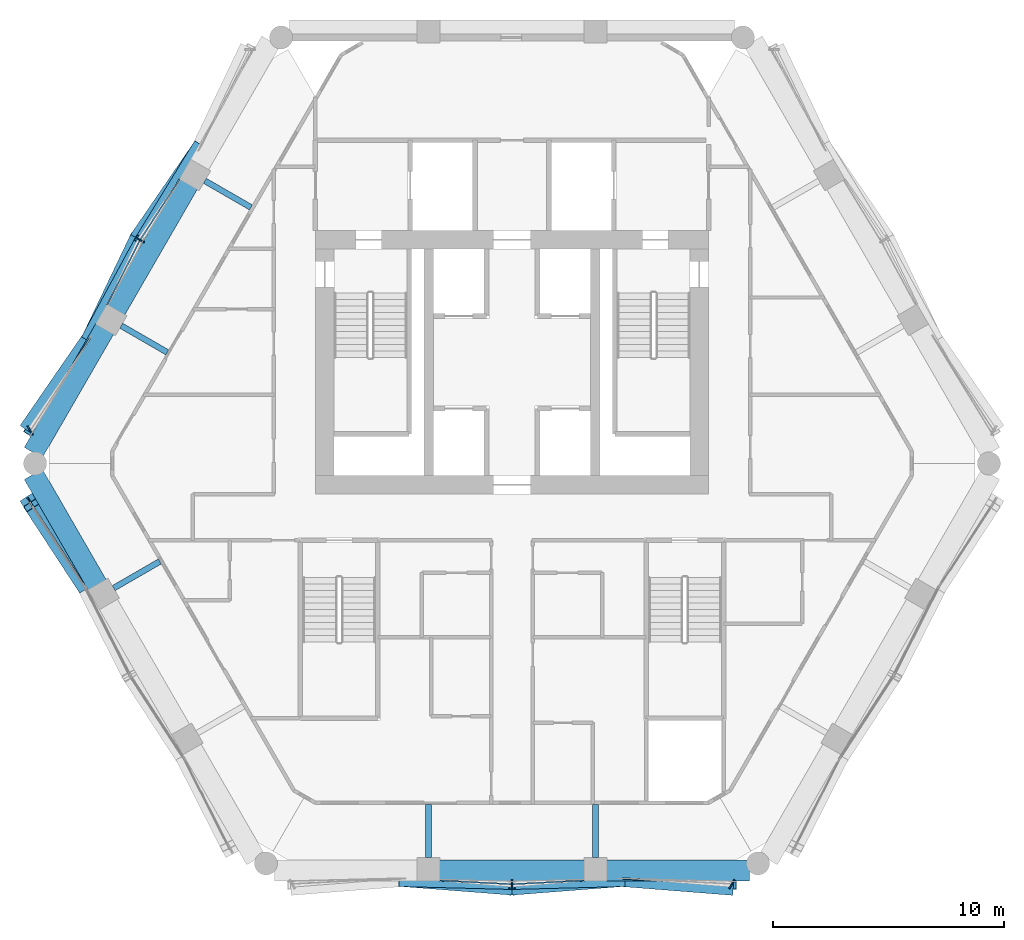
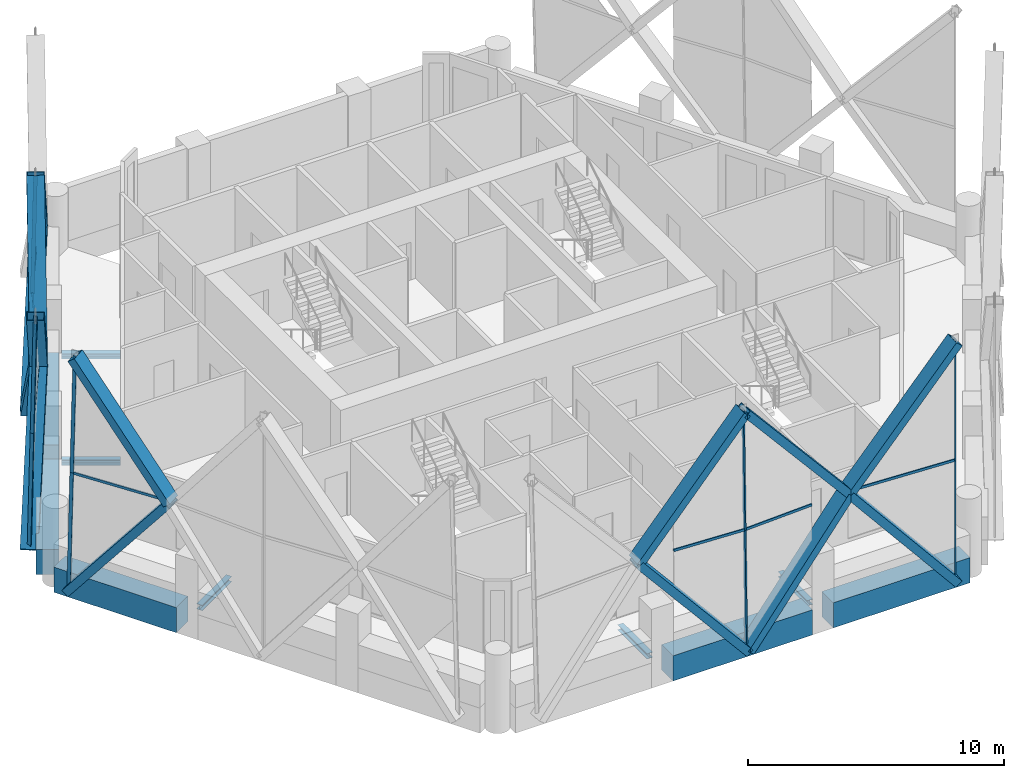
# One storey, part 4 of 18: 31 members, 10 beams, 6 elements without a shape of their own.
"""IFC4 building model written with IfcOpenShell, lengths in metres."""

from ifc_helpers import new_model, si_unit, direction, frame, origin, origin_2d, place, context, subcontext, project, spatial, rectangle, hollow_rectangle, i_section, extrude, material, material_profile, profile_set, type_object, element, aggregate, save


model = new_model("IFC4")

# Units and contexts
model_context = context("Model", 3, precision=1e-05, world=origin(), true_north=direction((0.0, 1.0)))
body_context = subcontext(model_context, "Body", "Model", "MODEL_VIEW")
ifc_project = project(units=[si_unit("LENGTHUNIT", "METRE"), si_unit("AREAUNIT", "SQUARE_METRE"), si_unit("VOLUMEUNIT", "CUBIC_METRE"), si_unit("PLANEANGLEUNIT", "RADIAN"), si_unit("MASSUNIT", "GRAM", prefix="KILO")], contexts=[model_context])

# Site, building, storey
site_placement = place(None, origin())
site = spatial("IfcSite", under=ifc_project, at=site_placement, CompositionType="ELEMENT")
building_placement = place(site_placement, origin())
building = spatial("IfcBuilding", under=site, at=building_placement, Name="Ostrander Bayou Hotel Tower", CompositionType="ELEMENT")
storey_placement = place(building_placement, frame((0.0, 0.0, 175.75)))
storey = spatial("IfcBuildingStorey", under=building, at=storey_placement, Name="L43", CompositionType="ELEMENT", Elevation=175.75)

# Curtain wall, members
ifc_material_1 = material(Name="Aluminium and clear glass", Category="aluminium")
curtain_wall_type = type_object("IfcCurtainWallType", Name="CW-LAT lattice glazing", PredefinedType="NOTDEFINED", material=ifc_material_1)
curtain_wall_1_placement = place(storey_placement, origin())
curtain_wall_1 = element("IfcCurtainWall", 1, at=curtain_wall_1_placement, inside=storey, type_object=curtain_wall_type, Name="CW-LAT L43 NW 1", PredefinedType="NOTDEFINED")
ifc_material_2 = material(Name="Aluminium", Category="aluminium")
ifc_material_profile_1 = material_profile(ifc_material_2, hollow_rectangle(XDim=0.06005859375, YDim=0.159912109375, WallThickness=0.00390625, at=origin_2d()))
ifc_profile_set_1 = profile_set([ifc_material_profile_1], Name="Aluminium")
member_type_1 = type_object("IfcMemberType", Name="CW-LA mullion 60 x 160 mm", PredefinedType="MULLION", material=ifc_profile_set_1)
member_1_placement = place(storey_placement, frame((-16.189208984375, 9.3466796875, -0.60009765625), z_axis=(0.018919101482, -0.010891501083, 0.999761693007), x_axis=(0.498919206287, 0.866648501757, 0.0)))
member_1 = element("IfcMember", 2, at=member_1_placement, type_object=member_type_1, Name="CW-LAT mullion 4", PredefinedType="MULLION", context=body_context, shape_type="SweptSolid", body=[
    extrude(hollow_rectangle(XDim=0.06005859375, YDim=0.159912109375, WallThickness=0.00390625, at=origin_2d()), origin(), (0.0, 0.0, 1.0), 5.626220703125),
])
member_2_placement = place(storey_placement, frame((-16.082763671875, 9.285400390625, 5.02490234375), z_axis=(0.018875724526, -0.010891510014, 0.999762512817), x_axis=(0.499779910804, 0.866152435058, 0.0)))
member_2 = element("IfcMember", 3, at=member_2_placement, type_object=member_type_1, Name="CW-LAT mullion 5", PredefinedType="MULLION", context=body_context, shape_type="SweptSolid", body=[
    extrude(hollow_rectangle(XDim=0.06005859375, YDim=0.159912109375, WallThickness=0.00390625, at=origin_2d()), origin(), (0.0, 0.0, 1.0), 5.626220703125),
])
member_3_placement = place(storey_placement, frame((-20.906982421875, 1.175048828125, -0.60009765625), z_axis=(0.012582822759, -0.021781300087, 0.999683573706), x_axis=(0.865898279276, 0.500220121494, 0.0)))
member_3 = element("IfcMember", 4, at=member_3_placement, type_object=member_type_1, Name="CW-LAT mullion 8", PredefinedType="MULLION", context=body_context, shape_type="SweptSolid", body=[
    extrude(hollow_rectangle(XDim=0.06005859375, YDim=0.159912109375, WallThickness=0.00390625, at=origin_2d()), origin(), (0.0, 0.0, 1.0), 5.626708984375),
])
member_4_placement = place(storey_placement, frame((-20.836181640625, 1.052490234375, 5.02490234375), z_axis=(0.012582810856, -0.021824668484, 0.999682627996), x_axis=(0.866328918095, 0.499473928922, 0.0)))
member_4 = element("IfcMember", 5, at=member_4_placement, type_object=member_type_1, Name="CW-LAT mullion 9", PredefinedType="MULLION", context=body_context, shape_type="SweptSolid", body=[
    extrude(hollow_rectangle(XDim=0.06005859375, YDim=0.159912109375, WallThickness=0.00390625, at=origin_2d()), origin(), (0.0, 0.0, 1.0), 5.626708984375),
])
aggregate(curtain_wall_1, [member_1, member_2, member_3, member_4])

curtain_wall_2_placement = place(storey_placement, origin())
curtain_wall_2 = element("IfcCurtainWall", 6, at=curtain_wall_2_placement, inside=storey, type_object=curtain_wall_type, Name="CW-LAT L43 SW 1", PredefinedType="NOTDEFINED")
member_5_placement = place(storey_placement, frame((-20.906982421875, -1.927978515625, -0.60009765625), z_axis=(0.012582822759, -0.021781300087, 0.999683573706), x_axis=(0.865898279276, 0.500220121494, 0.0)))
member_5 = element("IfcMember", 7, at=member_5_placement, type_object=member_type_1, Name="CW-LAT mullion 1", PredefinedType="MULLION", context=body_context, shape_type="SweptSolid", body=[
    extrude(hollow_rectangle(XDim=0.06005859375, YDim=0.159912109375, WallThickness=0.00390625, at=origin_2d()), origin(), (0.0, 0.0, 1.0), 5.626708984375),
])
member_6_placement = place(storey_placement, frame((-20.836181640625, -2.050537109375, 5.02490234375), z_axis=(0.012582810856, -0.021824668484, 0.999682627996), x_axis=(0.866328918095, 0.499473928922, 0.0)))
member_6 = element("IfcMember", 8, at=member_6_placement, type_object=member_type_1, Name="CW-LAT mullion 2", PredefinedType="MULLION", context=body_context, shape_type="SweptSolid", body=[
    extrude(hollow_rectangle(XDim=0.06005859375, YDim=0.159912109375, WallThickness=0.00390625, at=origin_2d()), origin(), (0.0, 0.0, 1.0), 5.626708984375),
])
aggregate(curtain_wall_2, [member_5, member_6])

curtain_wall_3_placement = place(storey_placement, origin())
curtain_wall_3 = element("IfcCurtainWall", 9, at=curtain_wall_3_placement, inside=storey, type_object=curtain_wall_type, Name="CW-LAT L43 S 1", PredefinedType="NOTDEFINED")
member_7_placement = place(storey_placement, frame((0.0, -18.693603515625, -0.60009765625), z_axis=(0.0, 0.021826396408, 0.999761775835), x_axis=(-1.0, 0.0, 0.0)))
member_7 = element("IfcMember", 10, at=member_7_placement, type_object=member_type_1, Name="CW-LAT mullion 4", PredefinedType="MULLION", context=body_context, shape_type="SweptSolid", body=[
    extrude(hollow_rectangle(XDim=0.06005859375, YDim=0.159912109375, WallThickness=0.00390625, at=origin_2d()), origin(), (0.0, 0.0, 1.0), 5.626220703125),
])
member_8_placement = place(storey_placement, frame((0.0, -18.57080078125, 5.02490234375), z_axis=(0.0, 0.021826396408, 0.999761775835), x_axis=(-1.0, 0.0, 0.0)))
member_8 = element("IfcMember", 11, at=member_8_placement, type_object=member_type_1, Name="CW-LAT mullion 5", PredefinedType="MULLION", context=body_context, shape_type="SweptSolid", body=[
    extrude(hollow_rectangle(XDim=0.06005859375, YDim=0.159912109375, WallThickness=0.00390625, at=origin_2d()), origin(), (0.0, 0.0, 1.0), 5.626220703125),
])
member_9_placement = place(storey_placement, frame((9.435791015625, -18.693603515625, -0.60009765625), z_axis=(0.012582810856, 0.021824668484, 0.999682627996), x_axis=(-0.866328918095, 0.499473928922, 0.0)))
member_9 = element("IfcMember", 12, at=member_9_placement, type_object=member_type_1, Name="CW-LAT mullion 8", PredefinedType="MULLION", context=body_context, shape_type="SweptSolid", body=[
    extrude(hollow_rectangle(XDim=0.06005859375, YDim=0.159912109375, WallThickness=0.00390625, at=origin_2d()), origin(), (0.0, 0.0, 1.0), 5.626708984375),
])
member_10_placement = place(storey_placement, frame((9.506591796875, -18.57080078125, 5.02490234375), z_axis=(0.012626192954, 0.021824656549, 0.999682081273), x_axis=(-0.865583332221, 0.500764909893, 0.0)))
member_10 = element("IfcMember", 13, at=member_10_placement, type_object=member_type_1, Name="CW-LAT mullion 9", PredefinedType="MULLION", context=body_context, shape_type="SweptSolid", body=[
    extrude(hollow_rectangle(XDim=0.06005859375, YDim=0.159912109375, WallThickness=0.00390625, at=origin_2d()), origin(), (0.0, 0.0, 1.0), 5.626708984375),
])
aggregate(curtain_wall_3, [member_7, member_8, member_9, member_10])

curtain_wall_4_placement = place(storey_placement, origin())
curtain_wall_4 = element("IfcCurtainWall", 14, at=curtain_wall_4_placement, inside=storey, type_object=curtain_wall_type, Name="CW-LAT L43 NW 2", PredefinedType="NOTDEFINED")
ifc_material_3 = material(Name="Aluminium", Category="aluminium")
ifc_material_profile_2 = material_profile(ifc_material_3, hollow_rectangle(XDim=0.06005859375, YDim=0.1201171875, WallThickness=0.00390625, at=origin_2d()))
ifc_profile_set_2 = profile_set([ifc_material_profile_2], Name="Aluminium")
member_type_2 = type_object("IfcMemberType", Name="CW-LA transom 60 x 120 mm", PredefinedType="USERDEFINED", material=ifc_profile_set_2)
member_11_placement = place(storey_placement, frame((-16.082763671875, 9.285400390625, 5.02490234375), z_axis=(0.544317538118, 0.838879262884, 0.0), x_axis=(-0.838879262884, 0.544317538118, 0.0)))
member_11 = element("IfcMember", 15, at=member_11_placement, type_object=member_type_2, Name="CW-LAT transom 6", ObjectType="TRANSOM", PredefinedType="USERDEFINED", context=body_context, shape_type="SweptSolid", body=[
    extrude(hollow_rectangle(XDim=0.06005859375, YDim=0.1201171875, WallThickness=0.00390625, at=origin_2d()), origin(), (0.0, 0.0, 1.0), 3.1220703125),
])
member_12_placement = place(storey_placement, frame((-16.082763671875, 9.285400390625, 5.02490234375), z_axis=(-0.454361451248, -0.890817417668, 0.0), x_axis=(0.890817417668, -0.454361451248, 0.0)))
member_12 = element("IfcMember", 16, at=member_12_placement, type_object=member_type_2, Name="CW-LAT transom 7", ObjectType="TRANSOM", PredefinedType="USERDEFINED", context=body_context, shape_type="SweptSolid", body=[
    extrude(hollow_rectangle(XDim=0.06005859375, YDim=0.1201171875, WallThickness=0.00390625, at=origin_2d()), origin(), (0.0, 0.0, 1.0), 3.122314453125),
])
member_13_placement = place(storey_placement, frame((-20.836181640625, 1.052490234375, 5.02490234375), z_axis=(0.544312090852, 0.838882797388, 0.0), x_axis=(-0.838882797388, 0.544312090852, 0.0)))
member_13 = element("IfcMember", 17, at=member_13_placement, type_object=member_type_2, Name="CW-LAT transom 10", ObjectType="TRANSOM", PredefinedType="USERDEFINED", context=body_context, shape_type="SweptSolid", body=[
    extrude(hollow_rectangle(XDim=0.06005859375, YDim=0.1201171875, WallThickness=0.00390625, at=origin_2d()), origin(), (0.0, 0.0, 1.0), 4.759765625),
])
aggregate(curtain_wall_4, [member_11, member_12, member_13])

# Curtain wall, member
curtain_wall_5_placement = place(storey_placement, origin())
curtain_wall_5 = element("IfcCurtainWall", 18, at=curtain_wall_5_placement, inside=storey, type_object=curtain_wall_type, Name="CW-LAT L43 SW 2", PredefinedType="NOTDEFINED")
member_14_placement = place(storey_placement, frame((-20.836181640625, -2.050537109375, 5.02490234375), z_axis=(0.545343273616, -0.838212809447, 0.0), x_axis=(0.838212809447, 0.545343273616, 0.0)))
member_14 = element("IfcMember", 19, at=member_14_placement, type_object=member_type_2, Name="CW-LAT transom 3", ObjectType="TRANSOM", PredefinedType="USERDEFINED", context=body_context, shape_type="SweptSolid", body=[
    extrude(hollow_rectangle(XDim=0.06005859375, YDim=0.1201171875, WallThickness=0.00390625, at=origin_2d()), origin(), (0.0, 0.0, 1.0), 4.327392578125),
])
aggregate(curtain_wall_5, [member_14])

# Curtain wall, members
curtain_wall_6_placement = place(storey_placement, origin())
curtain_wall_6 = element("IfcCurtainWall", 20, at=curtain_wall_6_placement, inside=storey, type_object=curtain_wall_type, Name="CW-LAT L43 S 2", PredefinedType="NOTDEFINED")
member_15_placement = place(storey_placement, frame((0.0, -18.57080078125, 5.02490234375), z_axis=(-0.998651319542, 0.051918609159, 0.0), x_axis=(-0.051918609159, -0.998651319542, 0.0)))
member_15 = element("IfcMember", 21, at=member_15_placement, type_object=member_type_2, Name="CW-LAT transom 6", ObjectType="TRANSOM", PredefinedType="USERDEFINED", context=body_context, shape_type="SweptSolid", body=[
    extrude(hollow_rectangle(XDim=0.06005859375, YDim=0.1201171875, WallThickness=0.00390625, at=origin_2d()), origin(), (0.0, 0.0, 1.0), 3.122314453125),
])
member_16_placement = place(storey_placement, frame((0.0, -18.57080078125, 5.02490234375), z_axis=(0.998651319542, 0.051918609159, 0.0), x_axis=(-0.051918609159, 0.998651319542, 0.0)))
member_16 = element("IfcMember", 22, at=member_16_placement, type_object=member_type_2, Name="CW-LAT transom 7", ObjectType="TRANSOM", PredefinedType="USERDEFINED", context=body_context, shape_type="SweptSolid", body=[
    extrude(hollow_rectangle(XDim=0.06005859375, YDim=0.1201171875, WallThickness=0.00390625, at=origin_2d()), origin(), (0.0, 0.0, 1.0), 3.122314453125),
])
member_17_placement = place(storey_placement, frame((9.506591796875, -18.57080078125, 5.02490234375), z_axis=(-0.998649107213, 0.051961145699, 0.0), x_axis=(-0.051961145699, -0.998649107213, 0.0)))
member_17 = element("IfcMember", 23, at=member_17_placement, type_object=member_type_2, Name="CW-LAT transom 10", ObjectType="TRANSOM", PredefinedType="USERDEFINED", context=body_context, shape_type="SweptSolid", body=[
    extrude(hollow_rectangle(XDim=0.06005859375, YDim=0.1201171875, WallThickness=0.00390625, at=origin_2d()), origin(), (0.0, 0.0, 1.0), 4.759521484375),
])
aggregate(curtain_wall_6, [member_15, member_16, member_17])

# Beams
ifc_material_4 = material(Name="Steel ASTM A992", Category="steel")
ifc_material_profile_3 = material_profile(ifc_material_4, i_section(OverallWidth=0.25390625, OverallDepth=0.25341796875, WebThickness=0.008544921875, FlangeThickness=0.01416015625, at=origin_2d()))
ifc_profile_set_3 = profile_set([ifc_material_profile_3], Name="Steel ASTM A992")
beam_type_1 = type_object("IfcBeamType", Name="LB2 loggia bracket W10x49", PredefinedType="BEAM", material=ifc_profile_set_3)
for number, where, z_axis, x_axis, name in (
    (24, (-13.2802734375, 11.84521484375, -0.4267578125), (0.866007057882, -0.500031774688, 0.0), (0.500031774688, 0.866007057882, 0.0), "LB2 L43 NW1"),
    (25, (-16.898193359375, 5.57861328125, -0.4267578125), (0.865980515519, -0.500077740698, 0.0), (0.500077740698, 0.865980515519, 0.0), "LB2 L43 NW2"),
    (26, (-17.224365234375, -5.7666015625, -0.4267578125), (0.866053019151, 0.499952165731, 0.0), (-0.499952165731, 0.866053019151, 0.0), "LB2 L43 SW1"),
    (27, (-3.6181640625, -17.423583984375, -0.4267578125), (0.0, 1.0, 0.0), (-1.0, 0.0, 0.0), "LB2 L43 S1"),
    (28, (3.6181640625, -17.423583984375, -0.4267578125), (0.0, 1.0, 0.0), (-1.0, 0.0, 0.0), "LB2 L43 S2"),
):
    element("IfcBeam", number, at=place(storey_placement, frame(where, z_axis=z_axis, x_axis=x_axis)), inside=storey, type_object=beam_type_1, Name=name, PredefinedType="BEAM", context=body_context, shape_type="SweptSolid", body=[
        extrude(i_section(OverallWidth=0.25390625, OverallDepth=0.25341796875, WebThickness=0.008544921875, FlangeThickness=0.01416015625, at=origin_2d()), origin(), (0.0, 0.0, 1.0), 2.300048828125),
    ])

# Members
ifc_material_5 = material(Name="Steel ASTM A572 Gr 50", Category="steel")
ifc_material_profile_4 = material_profile(ifc_material_5, hollow_rectangle(XDim=0.699951171875, YDim=0.35009765625, WallThickness=0.02490234375, at=origin_2d()))
ifc_profile_set_4 = profile_set([ifc_material_profile_4], Name="Steel ASTM A572 Gr 50")
member_type_3 = type_object("IfcMemberType", Name="LT1 lattice member box 700 x 350 x 25 mm", PredefinedType="BRACE", material=ifc_profile_set_4)
member_18_placement = place(storey_placement, frame((-13.491943359375, 13.2783203125, 5.02490234375), z_axis=(-0.365787966851, -0.533186949509, -0.762830807047), x_axis=(0.82460327865, -0.565711439551, 0.0)))
element("IfcMember", 29, at=member_18_placement, inside=storey, type_object=member_type_3, Name="LT1 L43 NW 3", PredefinedType="BRACE", context=body_context, shape_type="SweptSolid", body=[
    extrude(hollow_rectangle(XDim=0.699951171875, YDim=0.35009765625, WallThickness=0.02490234375, at=origin_2d()), origin(), (0.0, 0.0, 1.0), 7.373779296875),
])
member_19_placement = place(storey_placement, frame((-13.491943359375, 13.2783203125, 5.02490234375), z_axis=(-0.337332356097, -0.550431473455, 0.763696323522), x_axis=(0.852621175812, -0.522529549936, 0.0)))
element("IfcMember", 30, at=member_19_placement, inside=storey, type_object=member_type_3, Name="LT1 L43 NW 4", PredefinedType="BRACE", context=body_context, shape_type="SweptSolid", body=[
    extrude(hollow_rectangle(XDim=0.699951171875, YDim=0.35009765625, WallThickness=0.02490234375, at=origin_2d()), origin(), (0.0, 0.0, 1.0), 7.365478515625),
])
member_20_placement = place(storey_placement, frame((-18.245361328125, 5.04541015625, 5.02490234375), z_axis=(0.27885497061, 0.583337315627, -0.762861377685), x_axis=(-0.902213935924, 0.431288782401, 0.0)))
element("IfcMember", 31, at=member_20_placement, inside=storey, type_object=member_type_3, Name="LT1 L43 NW 5", PredefinedType="BRACE", context=body_context, shape_type="SweptSolid", body=[
    extrude(hollow_rectangle(XDim=0.699951171875, YDim=0.35009765625, WallThickness=0.02490234375, at=origin_2d()), origin(), (0.0, 0.0, 1.0), 7.37353515625),
])
member_21_placement = place(storey_placement, frame((-18.245361328125, 5.04541015625, 5.02490234375), z_axis=(0.308033056953, 0.567340342496, 0.763701886603), x_axis=(-0.878822059423, 0.477149649347, 0.0)))
element("IfcMember", 32, at=member_21_placement, inside=storey, type_object=member_type_3, Name="LT1 L43 NW 6", PredefinedType="BRACE", context=body_context, shape_type="SweptSolid", body=[
    extrude(hollow_rectangle(XDim=0.699951171875, YDim=0.35009765625, WallThickness=0.02490234375, at=origin_2d()), origin(), (0.0, 0.0, 1.0), 7.365478515625),
])
member_22_placement = place(storey_placement, frame((-18.245361328125, 5.04541015625, 5.02490234375), z_axis=(-0.363195696727, -0.528136248414, -0.767568230837), x_axis=(0.82396760731, -0.566636904996, 0.0)))
element("IfcMember", 33, at=member_22_placement, inside=storey, type_object=member_type_3, Name="LT1 L43 NW 7", PredefinedType="BRACE", context=body_context, shape_type="SweptSolid", body=[
    extrude(hollow_rectangle(XDim=0.699951171875, YDim=0.35009765625, WallThickness=0.02490234375, at=origin_2d()), origin(), (0.0, 0.0, 1.0), 7.328369140625),
])
member_23_placement = place(storey_placement, frame((-18.245361328125, 5.04541015625, 5.02490234375), z_axis=(-0.340014889443, -0.555315927749, 0.758955924507), x_axis=(0.852833832601, -0.522182395309, 0.0)))
element("IfcMember", 34, at=member_23_placement, inside=storey, type_object=member_type_3, Name="LT1 L43 NW 8", PredefinedType="BRACE", context=body_context, shape_type="SweptSolid", body=[
    extrude(hollow_rectangle(XDim=0.699951171875, YDim=0.35009765625, WallThickness=0.02490234375, at=origin_2d()), origin(), (0.0, 0.0, 1.0), 7.411376953125),
])
member_24_placement = place(storey_placement, frame((-18.476318359375, -5.677734375, 5.02490234375), z_axis=(-0.338345530003, 0.521961530265, -0.782993271523), x_axis=(-0.839125740998, -0.543937487947, 0.0)))
element("IfcMember", 35, at=member_24_placement, inside=storey, type_object=member_type_3, Name="LT1 L43 SW 1", PredefinedType="BRACE", context=body_context, shape_type="SweptSolid", body=[
    extrude(hollow_rectangle(XDim=0.699951171875, YDim=0.35009765625, WallThickness=0.02490234375, at=origin_2d()), origin(), (0.0, 0.0, 1.0), 7.18408203125),
])
member_25_placement = place(storey_placement, frame((-18.476318359375, -5.677734375, 5.02490234375), z_axis=(-0.326472312106, 0.499806267914, 0.802252780601), x_axis=(-0.837218185716, -0.546869005801, 0.0)))
element("IfcMember", 36, at=member_25_placement, inside=storey, type_object=member_type_3, Name="LT1 L43 SW 2", PredefinedType="BRACE", context=body_context, shape_type="SweptSolid", body=[
    extrude(hollow_rectangle(XDim=0.699951171875, YDim=0.35009765625, WallThickness=0.02490234375, at=origin_2d()), origin(), (0.0, 0.0, 1.0), 7.011474609375),
])
member_26_placement = place(storey_placement, frame((-4.75341796875, -18.323486328125, 5.02490234375), z_axis=(0.644638109933, -0.050193701831, -0.762838318072), x_axis=(0.077628416022, 0.996982361442, 0.0)))
element("IfcMember", 37, at=member_26_placement, inside=storey, type_object=member_type_3, Name="LT1 L43 S 3", PredefinedType="BRACE", context=body_context, shape_type="SweptSolid", body=[
    extrude(hollow_rectangle(XDim=0.699951171875, YDim=0.35009765625, WallThickness=0.02490234375, at=origin_2d()), origin(), (0.0, 0.0, 1.0), 7.373779296875),
])
member_27_placement = place(storey_placement, frame((-4.75341796875, -18.323486328125, 5.02490234375), z_axis=(0.645359469757, -0.016904639424, 0.763691945722), x_axis=(0.026185163123, 0.999657109829, 0.0)))
element("IfcMember", 38, at=member_27_placement, inside=storey, type_object=member_type_3, Name="LT1 L43 S 4", PredefinedType="BRACE", context=body_context, shape_type="SweptSolid", body=[
    extrude(hollow_rectangle(XDim=0.699951171875, YDim=0.35009765625, WallThickness=0.02490234375, at=origin_2d()), origin(), (0.0, 0.0, 1.0), 7.365478515625),
])
member_28_placement = place(storey_placement, frame((4.75341796875, -18.323486328125, 5.02490234375), z_axis=(-0.644638109933, -0.050193701831, -0.762838318072), x_axis=(0.077628416022, -0.996982361442, 0.0)))
element("IfcMember", 39, at=member_28_placement, inside=storey, type_object=member_type_3, Name="LT1 L43 S 5", PredefinedType="BRACE", context=body_context, shape_type="SweptSolid", body=[
    extrude(hollow_rectangle(XDim=0.699951171875, YDim=0.35009765625, WallThickness=0.02490234375, at=origin_2d()), origin(), (0.0, 0.0, 1.0), 7.373779296875),
])
member_29_placement = place(storey_placement, frame((4.75341796875, -18.323486328125, 5.02490234375), z_axis=(-0.645359469757, -0.016904639424, 0.763691945722), x_axis=(0.026185163123, -0.999657109829, 0.0)))
element("IfcMember", 40, at=member_29_placement, inside=storey, type_object=member_type_3, Name="LT1 L43 S 6", PredefinedType="BRACE", context=body_context, shape_type="SweptSolid", body=[
    extrude(hollow_rectangle(XDim=0.699951171875, YDim=0.35009765625, WallThickness=0.02490234375, at=origin_2d()), origin(), (0.0, 0.0, 1.0), 7.365478515625),
])
member_30_placement = place(storey_placement, frame((4.75341796875, -18.323486328125, 5.02490234375), z_axis=(0.638954384718, -0.050506014246, -0.767584807545), x_axis=(0.078799000723, 0.996890524323, 0.0)))
element("IfcMember", 41, at=member_30_placement, inside=storey, type_object=member_type_3, Name="LT1 L43 S 7", PredefinedType="BRACE", context=body_context, shape_type="SweptSolid", body=[
    extrude(hollow_rectangle(XDim=0.699951171875, YDim=0.35009765625, WallThickness=0.02490234375, at=origin_2d()), origin(), (0.0, 0.0, 1.0), 7.328125),
])
member_31_placement = place(storey_placement, frame((4.75341796875, -18.323486328125, 5.02490234375), z_axis=(0.650916524871, -0.016799971037, 0.75896339742), x_axis=(0.02580112443, 0.999667095576, 0.0)))
element("IfcMember", 42, at=member_31_placement, inside=storey, type_object=member_type_3, Name="LT1 L43 S 8", PredefinedType="BRACE", context=body_context, shape_type="SweptSolid", body=[
    extrude(hollow_rectangle(XDim=0.699951171875, YDim=0.35009765625, WallThickness=0.02490234375, at=origin_2d()), origin(), (0.0, 0.0, 1.0), 7.411376953125),
])

# Beams
ifc_material_6 = material(Name="Concrete f'c 60 MPa", Category="concrete")
ifc_material_profile_5 = material_profile(ifc_material_6, rectangle(XDim=0.89990234375, YDim=1.199951171875, at=origin_2d()))
ifc_profile_set_5 = profile_set([ifc_material_profile_5], Name="Concrete f'c 60 MPa")
beam_type_2 = type_object("IfcBeamType", Name="SP3 spandrel beam 900 x 1200 mm f'c 60 MPa", PredefinedType="SPANDREL", material=ifc_profile_set_5)
beam_1_placement = place(storey_placement, frame((-13.99169921875, 11.713134765625, -0.60009765625), z_axis=(-0.499984268907, -0.866034485945, 0.0), x_axis=(0.866034485945, -0.499984268907, 0.0)))
element("IfcBeam", 43, at=beam_1_placement, inside=storey, type_object=beam_type_2, Name="SP3 L43 NW-2", PredefinedType="SPANDREL", context=body_context, shape_type="SweptSolid", body=[
    extrude(rectangle(XDim=0.89990234375, YDim=1.199951171875, at=origin_2d()), origin(), (0.0, 0.0, 1.0), 6.296142578125),
])
beam_2_placement = place(storey_placement, frame((-17.609619140625, 5.4462890625, -0.60009765625), z_axis=(-0.500000533151, -0.866025095969, 0.0), x_axis=(0.866025095969, -0.500000533151, 0.0)))
element("IfcBeam", 44, at=beam_2_placement, inside=storey, type_object=beam_type_2, Name="SP3 L43 NW-3", PredefinedType="SPANDREL", context=body_context, shape_type="SweptSolid", body=[
    extrude(rectangle(XDim=0.89990234375, YDim=1.199951171875, at=origin_2d()), origin(), (0.0, 0.0, 1.0), 6.18115234375),
])
beam_3_placement = place(storey_placement, frame((-20.7001953125, -0.84619140625, -0.60009765625), z_axis=(0.500014212531, -0.86601719802, 0.0), x_axis=(0.86601719802, 0.500014212531, 0.0)))
element("IfcBeam", 45, at=beam_3_placement, inside=storey, type_object=beam_type_2, Name="SP3 L43 SW-1", PredefinedType="SPANDREL", context=body_context, shape_type="SweptSolid", body=[
    extrude(rectangle(XDim=0.89990234375, YDim=1.199951171875, at=origin_2d()), origin(), (0.0, 0.0, 1.0), 5.529052734375),
])
beam_4_placement = place(storey_placement, frame((-3.148193359375, -17.9736328125, -0.60009765625), z_axis=(1.0, 0.0, 0.0), x_axis=(0.0, 1.0, 0.0)))
element("IfcBeam", 46, at=beam_4_placement, inside=storey, type_object=beam_type_2, Name="SP3 L43 S-2", PredefinedType="SPANDREL", context=body_context, shape_type="SweptSolid", body=[
    extrude(rectangle(XDim=0.89990234375, YDim=1.199951171875, at=origin_2d()), origin(), (0.0, 0.0, 1.0), 6.29638671875),
])
beam_5_placement = place(storey_placement, frame((4.088134765625, -17.9736328125, -0.60009765625), z_axis=(1.0, 0.0, 0.0), x_axis=(0.0, 1.0, 0.0)))
element("IfcBeam", 47, at=beam_5_placement, inside=storey, type_object=beam_type_2, Name="SP3 L43 S-3", PredefinedType="SPANDREL", context=body_context, shape_type="SweptSolid", body=[
    extrude(rectangle(XDim=0.89990234375, YDim=1.199951171875, at=origin_2d()), origin(), (0.0, 0.0, 1.0), 6.18115234375),
])

save(model, "model.ifc")
